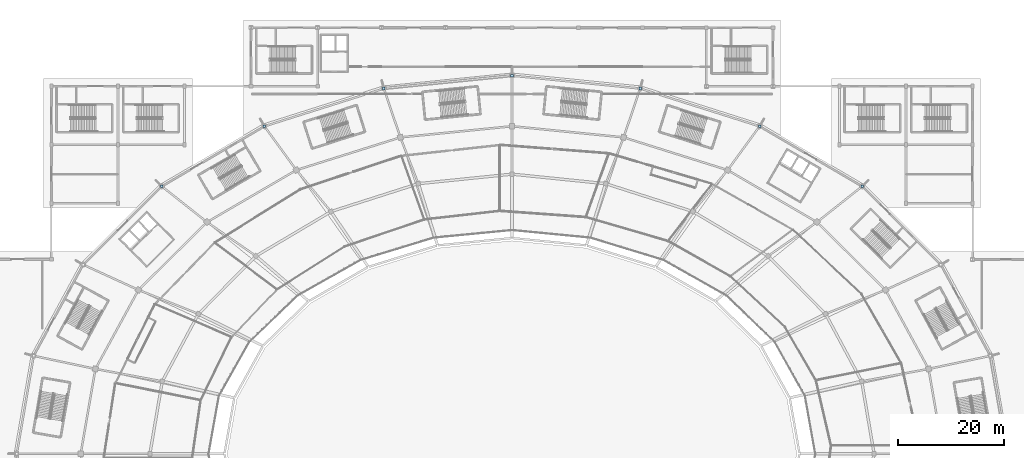
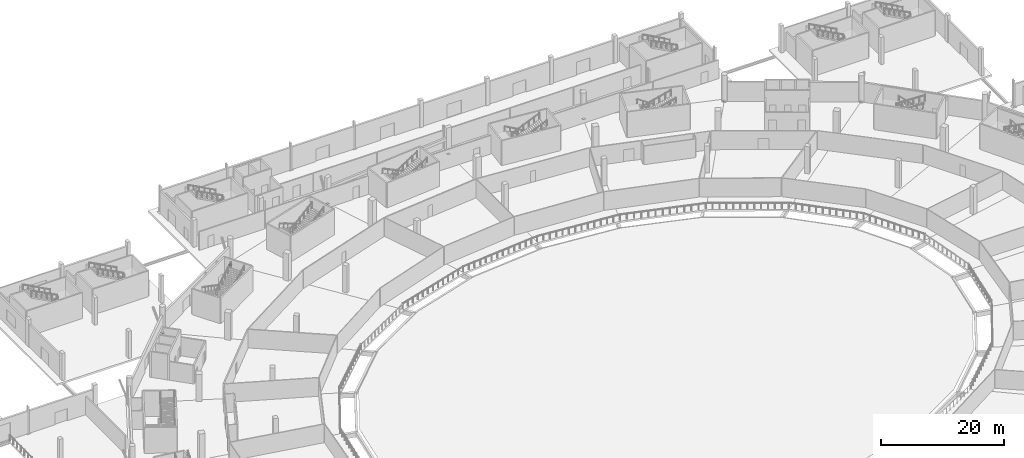
# One storey, part 35 of 82: 7 plates.
"""IFC4 building model written with IfcOpenShell, lengths in metres."""

from ifc_helpers import new_model, si_unit, direction, frame, origin, origin_2d, place, context, subcontext, project, spatial, rectangle, extrude, material, layer, layer_set, type_object, element, save


model = new_model("IFC4")

# Units and contexts
model_context = context("Model", 3, precision=1e-05, world=origin(), true_north=direction((0.0, 1.0)))
body_context = subcontext(model_context, "Body", "Model", "MODEL_VIEW")
ifc_project = project(units=[si_unit("LENGTHUNIT", "METRE"), si_unit("AREAUNIT", "SQUARE_METRE"), si_unit("VOLUMEUNIT", "CUBIC_METRE"), si_unit("PLANEANGLEUNIT", "RADIAN"), si_unit("MASSUNIT", "GRAM", prefix="KILO")], contexts=[model_context])

# Site, building, storey
site_placement = place(None, origin())
site = spatial("IfcSite", under=ifc_project, at=site_placement, CompositionType="ELEMENT")
building_placement = place(site_placement, origin())
building = spatial("IfcBuilding", under=site, at=building_placement, Name="Zlatoyarsky Gate Stadium", CompositionType="ELEMENT")
storey_placement = place(building_placement, origin())
storey = spatial("IfcBuildingStorey", under=building, at=storey_placement, Name="L00", CompositionType="ELEMENT", Elevation=0.0)

# Plates
ifc_material = material(Name="Steel S355", Category="steel")
ifc_layer = layer(ifc_material, 0.02392578125)
ifc_layer_set = layer_set([ifc_layer], Name="Steel S355")
plate_type = type_object("IfcPlateType", Name="STEEL HOLLOW CHORD SPLICE SHEET 24", PredefinedType="SHEET", material=ifc_layer_set)
for number, where, z_axis, x_axis, name in (
    (1, (176.760986328125, 130.20458984375, -0.011962890625), (0.0, 0.0, 1.0), (1.0, 0.0, 0.0), "Node closure plate ND-SP1 NCAP-L00-RSTRB-03"),
    (2, (157.5, 141.48779296875, -0.011962890625), (0.0, 0.0, 1.0), (1.0, 0.0, 0.0), "Node closure plate ND-SP1 NCAP-L00-RSTRB-04"),
    (3, (135.0703125, 148.580810546875, -0.011962890625), (0.0, 0.0, 1.0), (1.0, 0.0, 0.0), "Node closure plate ND-SP1 NCAP-L00-RSTRB-05"),
    (4, (111.0, 151.0, -0.011962890625), (0.0, 0.0, 1.0), (1.0, 0.0, 0.0), "Node closure plate ND-SP1 NCAP-L00-RSTRB-06"),
    (5, (86.9296875, 148.580810546875, -0.011962890625), (0.0, 0.0, 1.0), (1.0, 0.0, 0.0), "Node closure plate ND-SP1 NCAP-L00-RSTRB-07"),
    (6, (64.5, 141.48779296875, -0.011962890625), (0.0, 0.0, 1.0), (1.0, 0.0, 0.0), "Node closure plate ND-SP1 NCAP-L00-RSTRB-08"),
    (7, (45.239013671875, 130.20458984375, -0.011962890625), (0.0, 0.0, 1.0), (1.0, 0.0, 0.0), "Node closure plate ND-SP1 NCAP-L00-RSTRB-09"),
):
    element("IfcPlate", number, at=place(storey_placement, frame(where, z_axis=z_axis, x_axis=x_axis)), inside=storey, type_object=plate_type, Name=name, PredefinedType="SHEET", context=body_context, shape_type="SweptSolid", body=[
        extrude(rectangle(XDim=0.47998046875, YDim=0.47998046875, at=origin_2d()), origin(), (0.0, 0.0, 1.0), 0.02392578125),
    ])

save(model, "model.ifc")
